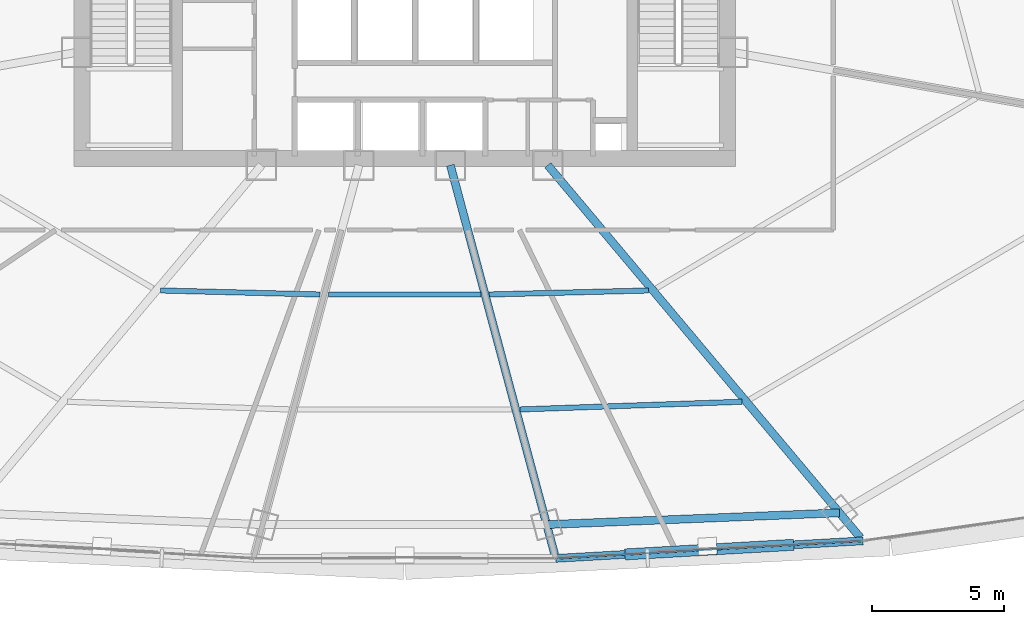
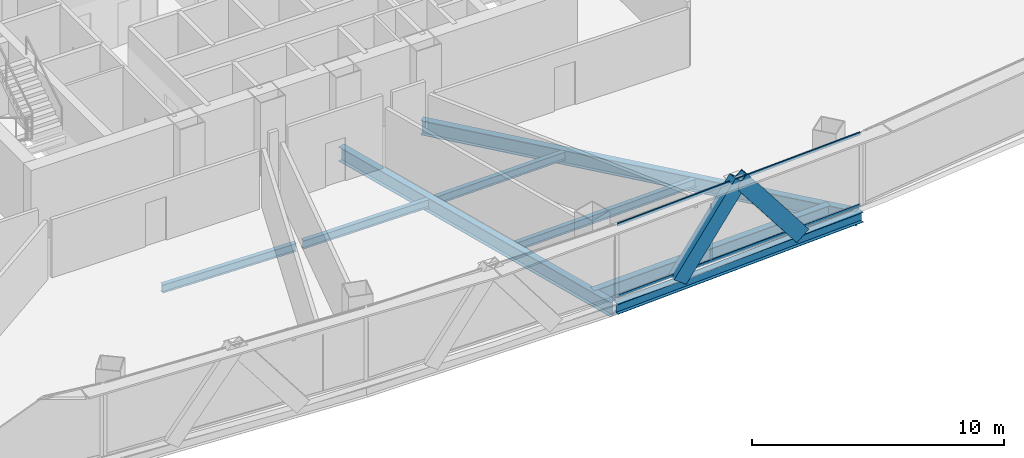
# One storey, part 13 of 41: 8 beams, 4 members, 1 element without a shape of its own.
"""IFC4 building model written with IfcOpenShell, lengths in metres."""

import ifcopenshell
import ifcopenshell.guid

model = None  # the IFC model being written
_history = None  # IfcOwnerHistory: only IFC2X3 demands one
_inside = {}  # id of a spatial element -> (the spatial element, [elements in it])
_under = {}  # id of a project, library or spatial element -> (it, [spatial elements below it])
_declared = {}  # id of a project -> (the project, [libraries it declares])
_typed = {}  # id of a type object -> (the type object, [elements of that type])
_made_of = {}  # id of a material, layer set ... -> (it, [elements and type objects made of it])


def new_model(schema):
    """Start an empty IFC model of exactly this schema.

    Asked for "IFC4X3", IfcOpenShell would pick the latest addendum, in which some entities
    have other attributes; the version numbers below select the first issue.
    IFC2X3 requires an IfcOwnerHistory on every rooted entity: one is made here for all.
    """
    global model, _history
    if schema == "IFC4X3":
        model = ifcopenshell.file(schema_version=(4, 3, 0, 0))
    else:
        model = ifcopenshell.file(schema=schema)
    _inside.clear()
    _under.clear()
    _declared.clear()
    _typed.clear()
    _made_of.clear()
    _history = None
    if model.schema == "IFC2X3":
        org = make("IfcOrganization", Name="unknown")
        user = make(
            "IfcPersonAndOrganization",
            ThePerson=make("IfcPerson", FamilyName="unknown"),
            TheOrganization=org,
        )
        app = make(
            "IfcApplication",
            ApplicationDeveloper=org,
            Version="unknown",
            ApplicationFullName="unknown",
            ApplicationIdentifier="unknown",
        )
        _history = make(
            "IfcOwnerHistory",
            OwningUser=user,
            OwningApplication=app,
            ChangeAction="ADDED",
            CreationDate=0,
        )
    return model


def make(cls, **values):
    """One entity of the class cls with the attributes given. An attribute that is None is left unset."""
    return model.create_entity(
        cls, **{name: value for name, value in values.items() if value is not None}
    )


def rooted(cls, **values):
    """An entity with a GlobalId (a new one), such as an element, a storey or a relation."""
    return make(cls, GlobalId=ifcopenshell.guid.new(), OwnerHistory=_history, **values)


def si_unit(unit_type, name, prefix=None):
    """IfcSIUnit, for example si_unit("LENGTHUNIT", "METRE", prefix="MILLI")."""
    return make("IfcSIUnit", UnitType=unit_type, Prefix=prefix, Name=name)


def assignment(units):
    """IfcUnitAssignment: the units of a project."""
    return None if units is None else make("IfcUnitAssignment", Units=units)


def point(xyz):
    """IfcCartesianPoint."""
    return None if xyz is None else make("IfcCartesianPoint", Coordinates=xyz)


def direction(xyz):
    """IfcDirection."""
    return None if xyz is None else make("IfcDirection", DirectionRatios=xyz)


def frame(location, z_axis=None, x_axis=None):
    """IfcAxis2Placement3D, a coordinate frame: its origin and axes. An axis left out is left unset."""
    return make(
        "IfcAxis2Placement3D",
        Location=point(location),
        Axis=direction(z_axis),
        RefDirection=direction(x_axis),
    )


def frame_2d(location, x_axis=None):
    """IfcAxis2Placement2D, a coordinate frame in the plane: its origin and x axis."""
    return make(
        "IfcAxis2Placement2D", Location=point(location), RefDirection=direction(x_axis)
    )


def origin():
    """The frame at (0, 0, 0) with its axes left unset."""
    return frame((0.0, 0.0, 0.0))


def origin_2d():
    """The frame at (0, 0) in the plane with its x axis left unset."""
    return frame_2d((0.0, 0.0))


def place(relative_to, where):
    """IfcLocalPlacement: puts the frame where relative to a parent placement (None: the world)."""
    return make(
        "IfcLocalPlacement", PlacementRelTo=relative_to, RelativePlacement=where
    )


def context(
    kind, dimensions, precision=None, world=None, true_north=None, identifier=None
):
    """IfcGeometricRepresentationContext, for example the 3D "Model" context."""
    return make(
        "IfcGeometricRepresentationContext",
        ContextIdentifier=identifier,
        ContextType=kind,
        CoordinateSpaceDimension=dimensions,
        Precision=precision,
        WorldCoordinateSystem=world,
        TrueNorth=true_north,
    )


def subcontext(parent, identifier, kind, view, scale=None):
    """IfcGeometricRepresentationSubContext, for example "Body" below "Model"."""
    return make(
        "IfcGeometricRepresentationSubContext",
        ContextIdentifier=identifier,
        ContextType=kind,
        ParentContext=parent,
        TargetScale=scale,
        TargetView=view,
    )


def project(units=None, contexts=None):
    """IfcProject with its units and contexts."""
    return rooted(
        "IfcProject",
        Name="project",
        RepresentationContexts=contexts,
        UnitsInContext=assignment(units),
    )


def spatial(cls, under=None, at=None, **own):
    """A site, building, storey or space (cls), placed at a placement, below another one or the project."""
    s = rooted(cls, ObjectPlacement=at, **own)
    if under is not None:
        _under.setdefault(under.id(), (under, []))[1].append(s)
    return s


def profile(cls, at=None, kind="AREA", **sizes):
    """A parametric profile (cls). Its sizes go by their IFC names, for example OverallWidth=200.0."""
    return make(cls, ProfileType=kind, Position=at, **sizes)


def hollow_rectangle(**sizes):
    """IfcRectangleHollowProfileDef."""
    return profile("IfcRectangleHollowProfileDef", **sizes)


def i_section(**sizes):
    """IfcIShapeProfileDef."""
    return profile("IfcIShapeProfileDef", **sizes)


def extrude(swept, where, along, depth):
    """IfcExtrudedAreaSolid: the profile swept, set in the frame where, extruded along a direction by depth."""
    return make(
        "IfcExtrudedAreaSolid",
        SweptArea=swept,
        Position=where,
        ExtrudedDirection=direction(along),
        Depth=depth,
    )


def shape(context_of_items, identifier, shape_type, items):
    """IfcShapeRepresentation: the items that make up one representation, for example the "Body"."""
    return make(
        "IfcShapeRepresentation",
        ContextOfItems=context_of_items,
        RepresentationIdentifier=identifier,
        RepresentationType=shape_type,
        Items=items,
    )


def source(mapping_origin, context_of_items, identifier, shape_type, items):
    """IfcRepresentationMap: a shape defined once, which mapped items show again and again."""
    return make(
        "IfcRepresentationMap",
        MappingOrigin=mapping_origin,
        MappedRepresentation=shape(context_of_items, identifier, shape_type, items),
    )


def transform(
    local_origin,
    x_axis=None,
    y_axis=None,
    z_axis=None,
    scale=None,
    scale2=None,
    scale3=None,
    uniform=True,
):
    """IfcCartesianTransformationOperator3D, or its non-uniform kind. x_axis, y_axis, z_axis: its Axis1, 2, 3."""
    if uniform:
        return make(
            "IfcCartesianTransformationOperator3D",
            Axis1=direction(x_axis),
            Axis2=direction(y_axis),
            LocalOrigin=point(local_origin),
            Scale=scale,
            Axis3=direction(z_axis),
        )
    return make(
        "IfcCartesianTransformationOperator3DnonUniform",
        Axis1=direction(x_axis),
        Axis2=direction(y_axis),
        LocalOrigin=point(local_origin),
        Scale=scale,
        Axis3=direction(z_axis),
        Scale2=scale2,
        Scale3=scale3,
    )


def mapped(mapping_source, mapping_target):
    """IfcMappedItem: shows the shape of a source again, moved by a transform."""
    return make(
        "IfcMappedItem", MappingSource=mapping_source, MappingTarget=mapping_target
    )


def material(Name=None, Category=None):
    """IfcMaterial."""
    return make("IfcMaterial", Name=Name, Category=Category)


def layer(
    of_material, thickness, ventilated=None, Name=None, Category=None, Priority=None
):
    """IfcMaterialLayer: one layer of a wall or slab, of a material (None: an air gap)."""
    return make(
        "IfcMaterialLayer",
        Material=of_material,
        LayerThickness=thickness,
        IsVentilated=ventilated,
        Name=Name,
        Category=Category,
        Priority=Priority,
    )


def layer_set(layers, Name=None):
    """IfcMaterialLayerSet."""
    return make("IfcMaterialLayerSet", MaterialLayers=layers, LayerSetName=Name)


def material_profile(
    of_material, cross_section, Name=None, Category=None, Priority=None
):
    """IfcMaterialProfile: a cross section and its material."""
    return make(
        "IfcMaterialProfile",
        Name=Name,
        Material=of_material,
        Profile=cross_section,
        Priority=Priority,
        Category=Category,
    )


def profile_set(profiles, Name=None, composite=None):
    """IfcMaterialProfileSet."""
    return make(
        "IfcMaterialProfileSet",
        Name=Name,
        MaterialProfiles=profiles,
        CompositeProfile=composite,
    )


def made_of(thing, what):
    """Note that an element or type object is made of a material, layer set ...; save() writes the relation."""
    if what is not None:
        _made_of.setdefault(what.id(), (what, []))[1].append(thing)
    return thing


def type_object(cls, material=None, **own):
    """A type object (cls), such as IfcWallType, which elements share."""
    return made_of(rooted(cls, **own), material)


def element(
    cls,
    number,
    at=None,
    inside=None,
    cuts=None,
    type_object=None,
    material=None,
    context=None,
    identifier="Body",
    shape_type=None,
    held_by="IfcProductDefinitionShape",
    body=None,
    shapes=None,
    **own,
):
    """One element of the class cls, such as IfcWall. Its Tag is "e" and its number.

    at: its placement. inside: the storey or other place that contains it. cuts: it is an
    opening in that element (IfcRelVoidsElement). A single representation is given by context,
    identifier, shape_type and body (its items); several are given by shapes. held_by: the class
    of the entity that holds the representations. save() writes the other relations.
    """
    e = rooted(cls, Tag="e%d" % number, ObjectPlacement=at, **own)
    if body is not None:
        shapes = [shape(context, identifier, shape_type, body)]
    if shapes is not None:
        e.Representation = make(held_by, Representations=shapes)
    if inside is not None:
        _inside.setdefault(inside.id(), (inside, []))[1].append(e)
    if cuts is not None:
        rooted(
            "IfcRelVoidsElement", RelatingBuildingElement=cuts, RelatedOpeningElement=e
        )
    if type_object is not None:
        _typed.setdefault(type_object.id(), (type_object, []))[1].append(e)
    return made_of(e, material)


def aggregate(whole, parts):
    """IfcRelAggregates: a whole, such as a stair, and the parts it consists of."""
    return rooted("IfcRelAggregates", RelatingObject=whole, RelatedObjects=parts)


def save(model, path):
    """Write the relations noted so far, then the file.

    IfcRelAggregates (storeys below a building ...), IfcRelContainedInSpatialStructure (elements
    in a storey), IfcRelDefinesByType, IfcRelAssociatesMaterial and IfcRelDeclares: one each for
    every whole, place, type object, material and project.
    """
    for whole, parts in _under.values():
        aggregate(whole, parts)
    for where, things in _inside.values():
        rooted(
            "IfcRelContainedInSpatialStructure",
            RelatedElements=things,
            RelatingStructure=where,
        )
    for kind, things in _typed.values():
        rooted("IfcRelDefinesByType", RelatedObjects=things, RelatingType=kind)
    for what, things in _made_of.values():
        rooted("IfcRelAssociatesMaterial", RelatedObjects=things, RelatingMaterial=what)
    for by, libraries in _declared.values():
        rooted("IfcRelDeclares", RelatingContext=by, RelatedDefinitions=libraries)
    model.write(path)


model = new_model("IFC4")

# Units and contexts
model_context = context("Model", 3, precision=1e-05, world=origin(), true_north=direction((0.0, 1.0)))
body_context = subcontext(model_context, "Body", "Model", "MODEL_VIEW")
ifc_project = project(units=[si_unit("LENGTHUNIT", "METRE"), si_unit("AREAUNIT", "SQUARE_METRE"), si_unit("VOLUMEUNIT", "CUBIC_METRE"), si_unit("PLANEANGLEUNIT", "RADIAN"), si_unit("MASSUNIT", "GRAM", prefix="KILO"), si_unit("THERMODYNAMICTEMPERATUREUNIT", "KELVIN"), si_unit("POWERUNIT", "WATT")], contexts=[model_context])

# Site, building, storey
site_placement = place(None, origin())
site = spatial("IfcSite", under=ifc_project, at=site_placement, CompositionType="ELEMENT")
building_placement = place(site_placement, origin())
building = spatial("IfcBuilding", under=site, at=building_placement, Name="Yunzhuo Pagoda Commons", CompositionType="ELEMENT")
storey_placement = place(building_placement, frame((0.0, 0.0, 115.3798828125)))
storey = spatial("IfcBuildingStorey", under=building, at=storey_placement, Name="L29", CompositionType="ELEMENT", Elevation=115.3798828125)

# Beams
ifc_material_1 = material(Name="Structural steel Q355B", Category="steel")
ifc_material_profile_1 = material_profile(ifc_material_1, i_section(OverallWidth=0.300048828125, OverallDepth=0.699951171875, WebThickness=0.012939453125, FlangeThickness=0.02392578125, at=origin_2d()), Name="Structural steel Q355B")
ifc_profile_set_1 = profile_set([ifc_material_profile_1], Name="Structural steel Q355B")
beam_type_1 = type_object("IfcBeamType", Name="B-RG1 Beam HN 700x300x13x24", PredefinedType="BEAM", material=ifc_profile_set_1)
shared_shape_1 = source(origin(), body_context, "Body", "SweptSolid", [
    extrude(i_section(OverallWidth=0.300048828125, OverallDepth=0.699951171875, WebThickness=0.012939453125, FlangeThickness=0.02392578125, at=origin_2d()), origin(), (0.0, 0.0, 1.0), 11.077392578125),
])
beam_1_placement = place(storey_placement, frame((53.367431640625, 13.66845703125, -0.609619140625), z_axis=(0.999196975427, 0.040067496776, 0.0), x_axis=(-0.040067496776, 0.999196975427, 0.0)))
element("IfcBeam", 1, at=beam_1_placement, inside=storey, type_object=beam_type_1, Name="L29 column-ring beam 3", PredefinedType="BEAM", context=body_context, shape_type="MappedRepresentation", body=[
    mapped(shared_shape_1, transform((0.0, 0.0, 0.0), scale=1.0)),
])
ifc_material_profile_2 = material_profile(ifc_material_1, i_section(OverallWidth=0.199951171875, OverallDepth=0.39990234375, WebThickness=0.008056640625, FlangeThickness=0.012939453125, at=origin_2d()), Name="Structural steel Q355B")
ifc_profile_set_2 = profile_set([ifc_material_profile_2], Name="Structural steel Q355B")
beam_type_2 = type_object("IfcBeamType", Name="B-JS1 Joist HN 400x200x8x13", PredefinedType="JOIST", material=ifc_profile_set_2)
shared_shape_2 = source(origin(), body_context, "Body", "SweptSolid", [
    extrude(i_section(OverallWidth=0.199951171875, OverallDepth=0.39990234375, WebThickness=0.008056640625, FlangeThickness=0.012939453125, at=origin_2d()), origin(), (0.0, 0.0, 1.0), 6.026611328125),
])
for number, where, z_axis, x_axis, name in (
    (2, (38.778076171875, 22.516357421875, -0.4599609375), (0.99968248871, -0.025197654009, 0.0), (0.025197654009, 0.99968248871, 0.0), "L29 composite ring joist 1.1"),
    (3, (51.197265625, 22.364501953125, -0.4599609375), (0.99968248871, 0.025197654009, 0.0), (-0.025197654009, 0.99968248871, 0.0), "L29 composite ring joist 1.3"),
):
    element("IfcBeam", number, at=place(storey_placement, frame(where, z_axis=z_axis, x_axis=x_axis)), inside=storey, type_object=beam_type_2, Name=name, PredefinedType="JOIST", context=body_context, shape_type="MappedRepresentation", body=[
        mapped(shared_shape_2, transform((0.0, 0.0, 0.0), scale=1.0)),
    ])
shared_shape_3 = source(origin(), body_context, "Body", "SweptSolid", [
    extrude(i_section(OverallWidth=0.199951171875, OverallDepth=0.39990234375, WebThickness=0.008056640625, FlangeThickness=0.012939453125, at=origin_2d()), origin(), (0.0, 0.0, 1.0), 8.392822265625),
])
beam_2_placement = place(storey_placement, frame((52.36181640625, 18.020263671875, -0.4599609375), z_axis=(0.999400667027, 0.034616567521, 0.0), x_axis=(-0.034616567521, 0.999400667027, 0.0)))
element("IfcBeam", 4, at=beam_2_placement, inside=storey, type_object=beam_type_2, Name="L29 composite ring joist 2.3", PredefinedType="JOIST", context=body_context, shape_type="MappedRepresentation", body=[
    mapped(shared_shape_3, transform((0.0, 0.0, 0.0), scale=1.0)),
])
shared_shape_4 = source(origin(), body_context, "Body", "SweptSolid", [
    extrude(i_section(OverallWidth=0.199951171875, OverallDepth=0.39990234375, WebThickness=0.008056640625, FlangeThickness=0.012939453125, at=origin_2d()), origin(), (0.0, 0.0, 1.0), 5.7587890625),
])
beam_3_placement = place(storey_placement, frame((45.120849609375, 22.360595703125, -0.4599609375), z_axis=(1.0, 0.0, 0.0), x_axis=(0.0, 1.0, 0.0)))
element("IfcBeam", 5, at=beam_3_placement, inside=storey, type_object=beam_type_2, Name="L29 composite ring joist 1.2", PredefinedType="JOIST", context=body_context, shape_type="MappedRepresentation", body=[
    mapped(shared_shape_4, transform((0.0, 0.0, 0.0), scale=1.0)),
])
shared_shape_5 = source(origin(), body_context, "Body", "SweptSolid", [
    extrude(i_section(OverallWidth=0.300048828125, OverallDepth=0.699951171875, WebThickness=0.012939453125, FlangeThickness=0.02392578125, at=origin_2d()), origin(), (0.0, 0.0, 1.0), 18.376220703125),
])
beam_4_placement = place(storey_placement, frame((65.22412109375, 13.173095703125, -0.609619140625), z_axis=(-0.642790372457, 0.766042124871, 0.0), x_axis=(-0.766042124871, -0.642790372457, 0.0)))
element("IfcBeam", 6, at=beam_4_placement, inside=storey, type_object=beam_type_1, Name="L29 radial floor girder F1C4", PredefinedType="BEAM", context=body_context, shape_type="MappedRepresentation", body=[
    mapped(shared_shape_5, transform((0.0, 0.0, 0.0), scale=1.0)),
])
shared_shape_6 = source(origin(), body_context, "Body", "SweptSolid", [
    extrude(i_section(OverallWidth=0.300048828125, OverallDepth=0.699951171875, WebThickness=0.012939453125, FlangeThickness=0.02392578125, at=origin_2d()), origin(), (0.0, 0.0, 1.0), 15.227783203125),
])
beam_5_placement = place(storey_placement, frame((53.669677734375, 12.541015625, -0.609619140625), z_axis=(-0.258813017617, 0.965927441329, 0.0), x_axis=(-0.965927441329, -0.258813017617, 0.0)))
element("IfcBeam", 7, at=beam_5_placement, inside=storey, type_object=beam_type_1, Name="L29 radial floor girder F1C3", PredefinedType="BEAM", context=body_context, shape_type="MappedRepresentation", body=[
    mapped(shared_shape_6, transform((0.0, 0.0, 0.0), scale=1.0)),
])
ifc_material_profile_3 = material_profile(ifc_material_1, i_section(OverallWidth=0.300048828125, OverallDepth=0.488037109375, WebThickness=0.010986328125, FlangeThickness=0.01806640625, at=origin_2d()), Name="Structural steel Q355B")
ifc_profile_set_3 = profile_set([ifc_material_profile_3], Name="Structural steel Q355B")
beam_type_3 = type_object("IfcBeamType", Name="B-SP1 Beam HM 488x300x11x18", PredefinedType="BEAM", material=ifc_profile_set_3)
shared_shape_7 = source(origin(), body_context, "Body", "SweptSolid", [
    extrude(i_section(OverallWidth=0.300048828125, OverallDepth=0.488037109375, WebThickness=0.010986328125, FlangeThickness=0.01806640625, at=origin_2d()), origin(), (0.0, 0.0, 1.0), 11.63330078125),
])
beam_6_placement = place(storey_placement, frame((53.709716796875, 12.39111328125, -0.50390625), z_axis=(0.998373007456, 0.057020504945, 0.0), x_axis=(-0.057020504945, 0.998373007456, 0.0)))
element("IfcBeam", 8, at=beam_6_placement, inside=storey, type_object=beam_type_3, Name="L29 facade edge spandrel beam F1.3", PredefinedType="BEAM", context=body_context, shape_type="MappedRepresentation", body=[
    mapped(shared_shape_7, transform((0.0, 0.0, 0.0), scale=1.0)),
])

# Members
ifc_material_2 = material(Name="Structural steel Q420B", Category="steel")
ifc_material_profile_4 = material_profile(ifc_material_2, hollow_rectangle(XDim=0.419921875, YDim=0.719970703125, WallThickness=0.028076171875, at=origin_2d()), Name="Structural steel Q420B")
ifc_profile_set_4 = profile_set([ifc_material_profile_4], Name="Structural steel Q420B")
member_type_1 = type_object("IfcMemberType", Name="M-DL1 Brace BOX 720x420x28", PredefinedType="BRACE", material=ifc_profile_set_4)
shared_shape_8 = source(origin(), body_context, "Body", "SweptSolid", [
    extrude(hollow_rectangle(XDim=0.419921875, YDim=0.719970703125, WallThickness=0.028076171875, at=origin_2d()), origin(), (0.0, 0.0, 1.0), 4.769287109375),
])
member_1_placement = place(storey_placement, frame((62.420166015625, 12.888427734375, -0.259765625), z_axis=(-0.608820193585, -0.034759010464, 0.79254639175), x_axis=(0.056999586574, -0.998374201956, 0.0)))
element("IfcMember", 9, at=member_1_placement, inside=storey, type_object=member_type_1, Name="L29 facade diamond brace F1.3R", PredefinedType="BRACE", context=body_context, shape_type="MappedRepresentation", body=[
    mapped(shared_shape_8, transform((0.0, 0.0, 0.0), scale=1.0)),
])
shared_shape_9 = source(origin(), body_context, "Body", "SweptSolid", [
    extrude(hollow_rectangle(XDim=0.419921875, YDim=0.719970703125, WallThickness=0.028076171875, at=origin_2d()), origin(), (0.0, 0.0, 1.0), 4.76904296875),
])
member_2_placement = place(storey_placement, frame((56.61328125, 12.556884765625, -0.259765625), z_axis=(0.60878797534, 0.034760093782, 0.792571092686), x_axis=(-0.057004364103, 0.998373929183, 0.0)))
element("IfcMember", 10, at=member_2_placement, inside=storey, type_object=member_type_1, Name="L29 facade diamond brace F1.3L", PredefinedType="BRACE", context=body_context, shape_type="MappedRepresentation", body=[
    mapped(shared_shape_9, transform((0.0, 0.0, 0.0), scale=1.0)),
])

# Curtain wall, members
ifc_material_3 = material(Name="Anodized aluminium 6063-T6", Category="aluminium")
ifc_layer = layer(ifc_material_3, 0.1650390625)
ifc_layer_set = layer_set([ifc_layer], Name="Anodized aluminium 6063-T6")
curtain_wall_type = type_object("IfcCurtainWallType", Name="CW-LOW Low-Zone Ribbon Curtain Wall", PredefinedType="NOTDEFINED", material=ifc_layer_set)
curtain_wall_placement = place(storey_placement, origin())
curtain_wall = element("IfcCurtainWall", 11, at=curtain_wall_placement, inside=storey, type_object=curtain_wall_type, Name="L29 curtain wall CW-L29-F1B4", PredefinedType="NOTDEFINED")
ifc_material_profile_5 = material_profile(ifc_material_3, hollow_rectangle(XDim=0.06005859375, YDim=0.139892578125, WallThickness=0.00341796875, at=origin_2d()), Name="Anodized aluminium 6063-T6")
ifc_profile_set_5 = profile_set([ifc_material_profile_5], Name="Anodized aluminium 6063-T6")
member_type_2 = type_object("IfcMemberType", Name="CW-LOW-T Transom RHS 140x60x3.5", PredefinedType="USERDEFINED", material=ifc_profile_set_5)
shared_shape_10 = source(origin(), body_context, "Body", "SweptSolid", [
    extrude(hollow_rectangle(XDim=0.06005859375, YDim=0.139892578125, WallThickness=0.00341796875, at=origin_2d()), origin(), (0.0, 0.0, 1.0), 11.5029296875),
])
member_3_placement = place(storey_placement, frame((53.774658203125, 12.394775390625, 0.030029296875), z_axis=(0.998372474019, 0.057029844123, 0.0), x_axis=(-0.057029844123, 0.998372474019, 0.0)))
member_3 = element("IfcMember", 12, at=member_3_placement, type_object=member_type_2, Name="CW transom 1.1", ObjectType="TRANSOM", PredefinedType="USERDEFINED", context=body_context, shape_type="MappedRepresentation", body=[
    mapped(shared_shape_10, transform((0.0, 0.0, 0.0), scale=1.0)),
])
member_4_placement = place(storey_placement, frame((53.774658203125, 12.394775390625, 3.490234375), z_axis=(0.998372474019, 0.057029844123, 0.0), x_axis=(-0.057029844123, 0.998372474019, 0.0)))
member_4 = element("IfcMember", 13, at=member_4_placement, type_object=member_type_2, Name="CW transom 1.2", ObjectType="TRANSOM", PredefinedType="USERDEFINED", context=body_context, shape_type="MappedRepresentation", body=[
    mapped(shared_shape_10, transform((0.0, 0.0, 0.0), scale=1.0)),
])
aggregate(curtain_wall, [member_3, member_4])

save(model, "model.ifc")
